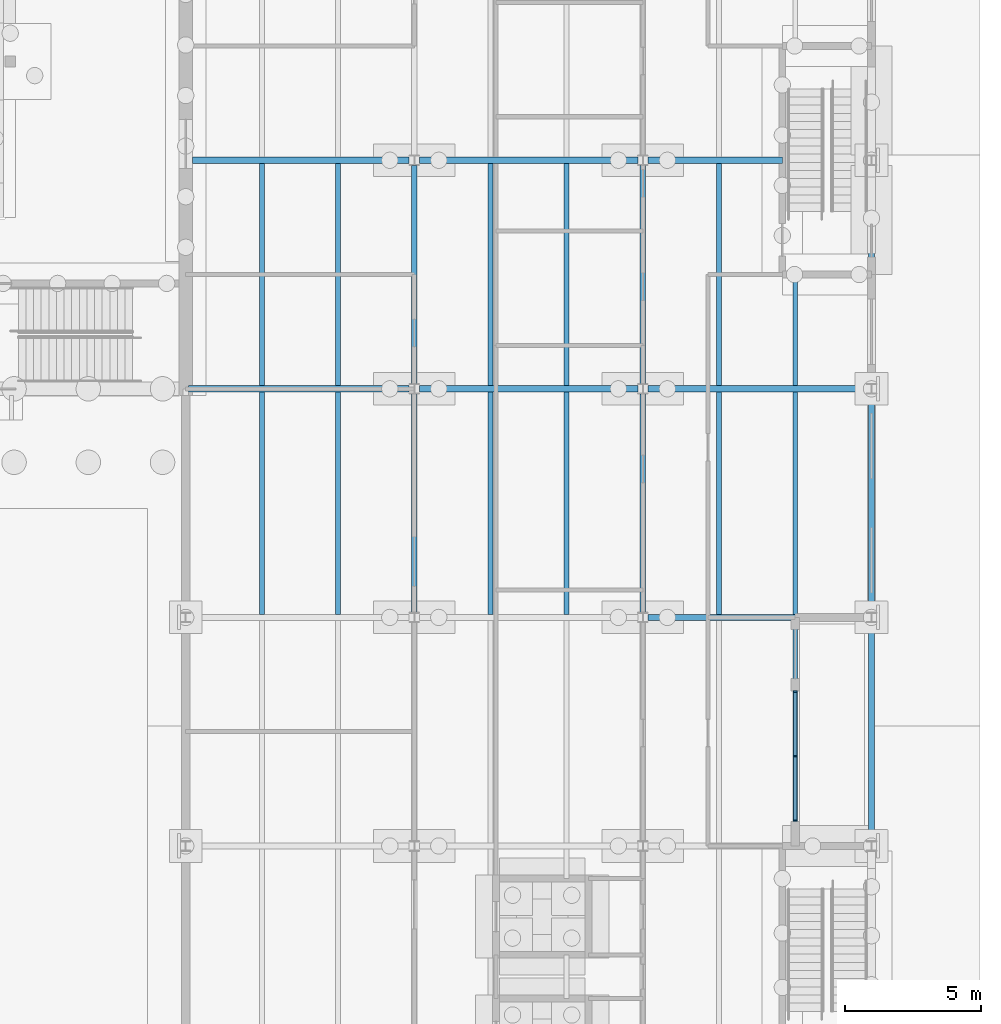
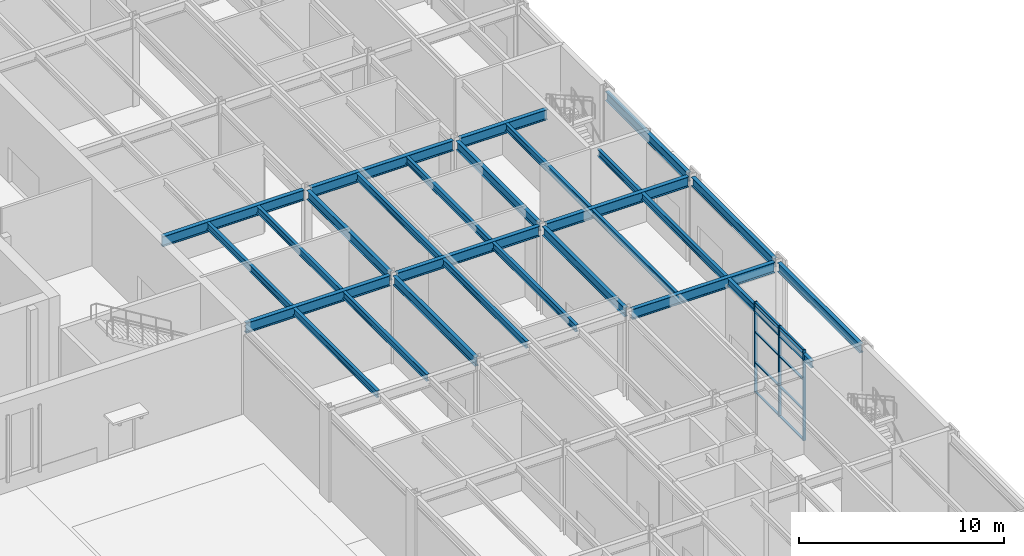
# One storey, part 34 of 127: 27 beams, 11 members, 1 element without a shape of its own.
"""IFC4 building model written with IfcOpenShell, lengths in metres."""

from ifc_helpers import new_model, si_unit, direction, frame, origin, origin_2d, place, context, subcontext, project, spatial, rectangle, i_section, extrude, material, material_profile, profile_set, type_object, element, aggregate, save


model = new_model("IFC4")

# Units and contexts
model_context = context("Model", 3, precision=1e-05, world=origin(), true_north=direction((0.0, 1.0)))
body_context = subcontext(model_context, "Body", "Model", "MODEL_VIEW")
ifc_project = project(units=[si_unit("LENGTHUNIT", "METRE"), si_unit("AREAUNIT", "SQUARE_METRE"), si_unit("VOLUMEUNIT", "CUBIC_METRE"), si_unit("PLANEANGLEUNIT", "RADIAN"), si_unit("MASSUNIT", "GRAM", prefix="KILO")], contexts=[model_context])

# Site, building, storey
site_placement = place(None, origin())
site = spatial("IfcSite", under=ifc_project, at=site_placement, CompositionType="ELEMENT")
building_placement = place(site_placement, origin())
building = spatial("IfcBuilding", under=site, at=building_placement, Name="Ljudholm Concert House", CompositionType="ELEMENT")
storey_placement = place(building_placement, origin())
storey = spatial("IfcBuildingStorey", under=building, at=storey_placement, Name="L00", CompositionType="ELEMENT", Elevation=0.0)

# Curtain wall, members
ifc_material_1 = material(Name="Aluminium curtain wall with impact-rated laminated glass", Category="aluminium")
curtain_wall_type = type_object("IfcCurtainWallType", Name="CURTAIN WALL 2400", PredefinedType="NOTDEFINED", material=ifc_material_1)
curtain_wall_placement = place(storey_placement, origin())
curtain_wall = element("IfcCurtainWall", 1, at=curtain_wall_placement, inside=storey, type_object=curtain_wall_type, Name="Curtain wall", PredefinedType="NOTDEFINED")
ifc_material_2 = material(Name="Aluminium extrusion", Category="aluminium")
ifc_material_profile_1 = material_profile(ifc_material_2, rectangle(XDim=0.159912109375, YDim=0.06005859375, at=origin_2d()), Name="MULLION 60x160")
ifc_profile_set_1 = profile_set([ifc_material_profile_1], Name="Aluminium extrusion")
member_type_1 = type_object("IfcMemberType", Name="MULLION 60x160", PredefinedType="MULLION", material=ifc_profile_set_1)
member_1_placement = place(storey_placement, frame((118.800048828125, 38.530029296875, 0.0), z_axis=(0.0, 0.0, 1.0), x_axis=(-1.0, 0.0, 0.0)))
member_1 = element("IfcMember", 2, at=member_1_placement, type_object=member_type_1, Name="Mullion", PredefinedType="MULLION", context=body_context, shape_type="SweptSolid", body=[
    extrude(rectangle(XDim=0.159912109375, YDim=0.06005859375, at=origin_2d()), origin(), (0.0, 0.0, 1.0), 5.39990234375),
])
member_2_placement = place(storey_placement, frame((118.800048828125, 40.89990234375, 0.0), z_axis=(0.0, 0.0, 1.0), x_axis=(-1.0, 0.0, 0.0)))
member_2 = element("IfcMember", 3, at=member_2_placement, type_object=member_type_1, Name="Mullion", PredefinedType="MULLION", context=body_context, shape_type="SweptSolid", body=[
    extrude(rectangle(XDim=0.159912109375, YDim=0.06005859375, at=origin_2d()), origin(), (0.0, 0.0, 1.0), 5.39990234375),
])
member_3_placement = place(storey_placement, frame((118.800048828125, 43.27001953125, 0.0), z_axis=(0.0, 0.0, 1.0), x_axis=(-1.0, 0.0, 0.0)))
member_3 = element("IfcMember", 4, at=member_3_placement, type_object=member_type_1, Name="Mullion", PredefinedType="MULLION", context=body_context, shape_type="SweptSolid", body=[
    extrude(rectangle(XDim=0.159912109375, YDim=0.06005859375, at=origin_2d()), origin(), (0.0, 0.0, 1.0), 5.39990234375),
])

# Beams
ifc_material_3 = material(Name="Steel ASTM A992", Category="steel")
ifc_material_profile_2 = material_profile(ifc_material_3, i_section(OverallWidth=0.177734375, OverallDepth=0.406494140625, WebThickness=0.0078125, FlangeThickness=0.012939453125, FilletRadius=0.01025390625, at=origin_2d()), Name="W16X40")
ifc_profile_set_2 = profile_set([ifc_material_profile_2], Name="Steel ASTM A992")
beam_type_1 = type_object("IfcBeamType", Name="STEEL BEAM W16X40", PredefinedType="BEAM", material=ifc_profile_set_2)
for number, where, z_axis, x_axis, name in (
    (5, (99.199951171875, 46.114501953125, 5.016845703125), (0.0, 1.0, 0.0), (-1.0, 0.0, 0.0), "Beam BOH-L01-sb-99.2-46"),
    (6, (102.0, 46.114501953125, 5.016845703125), (0.0, 1.0, 0.0), (-1.0, 0.0, 0.0), "Beam BOH-L01-sb-102-46"),
    (7, (99.199951171875, 54.5146484375, 5.016845703125), (0.0, 1.0, 0.0), (-1.0, 0.0, 0.0), "Beam BOH-L01-sb-99.2-54.4"),
    (8, (102.0, 54.5146484375, 5.016845703125), (0.0, 1.0, 0.0), (-1.0, 0.0, 0.0), "Beam BOH-L01-sb-102-54.4"),
    (9, (107.60009765625, 46.114501953125, 5.016845703125), (0.0, 1.0, 0.0), (-1.0, 0.0, 0.0), "Beam BOH-L01-sb-107.6-46"),
    (10, (110.39990234375, 46.114501953125, 5.016845703125), (0.0, 1.0, 0.0), (-1.0, 0.0, 0.0), "Beam BOH-L01-sb-110.4-46"),
    (11, (107.60009765625, 54.5146484375, 5.016845703125), (0.0, 1.0, 0.0), (-1.0, 0.0, 0.0), "Beam BOH-L01-sb-107.6-54.4"),
    (12, (110.39990234375, 54.5146484375, 5.016845703125), (0.0, 1.0, 0.0), (-1.0, 0.0, 0.0), "Beam BOH-L01-sb-110.4-54.4"),
    (13, (118.800048828125, 37.714599609375, 5.016845703125), (0.0, 1.0, 0.0), (-1.0, 0.0, 0.0), "Beam BOH-L01-sb-118.8-37.6"),
    (14, (116.0, 46.114501953125, 5.016845703125), (0.0, 1.0, 0.0), (-1.0, 0.0, 0.0), "Beam BOH-L01-sb-116-46"),
    (15, (118.800048828125, 46.114501953125, 5.016845703125), (0.0, 1.0, 0.0), (-1.0, 0.0, 0.0), "Beam BOH-L01-sb-118.8-46"),
    (16, (116.0, 54.5146484375, 5.016845703125), (0.0, 1.0, 0.0), (-1.0, 0.0, 0.0), "Beam BOH-L01-sb-116-54.4"),
):
    element("IfcBeam", number, at=place(storey_placement, frame(where, z_axis=z_axis, x_axis=x_axis)), inside=storey, type_object=beam_type_1, Name=name, PredefinedType="BEAM", context=body_context, shape_type="SweptSolid", body=[
        extrude(i_section(OverallWidth=0.177734375, OverallDepth=0.406494140625, WebThickness=0.0078125, FlangeThickness=0.012939453125, FilletRadius=0.01025390625, at=origin_2d()), origin(), (0.0, 0.0, 1.0), 8.1708984375),
    ])
beam_1_placement = place(storey_placement, frame((118.800048828125, 54.5146484375, 5.016845703125), z_axis=(0.0, 1.0, 0.0), x_axis=(-1.0, 0.0, 0.0)))
element("IfcBeam", 17, at=beam_1_placement, inside=storey, type_object=beam_type_1, Name="Beam BOH-L01-sb-118.8-54.4-1", PredefinedType="BEAM", context=body_context, shape_type="SweptSolid", body=[
    extrude(i_section(OverallWidth=0.177734375, OverallDepth=0.406494140625, WebThickness=0.0078125, FlangeThickness=0.012939453125, FilletRadius=0.01025390625, at=origin_2d()), origin(), (0.0, 0.0, 1.0), 4.08544921875),
])
ifc_material_4 = material(Name="Steel ASTM A992", Category="steel")
ifc_material_profile_3 = material_profile(ifc_material_4, i_section(OverallWidth=0.209228515625, OverallDepth=0.533447265625, WebThickness=0.01025390625, FlangeThickness=0.015625, FilletRadius=0.012939453125, at=origin_2d()), Name="W21X62")
ifc_profile_set_3 = profile_set([ifc_material_profile_3], Name="Steel ASTM A992")
beam_type_2 = type_object("IfcBeamType", Name="STEEL BEAM W21X62", PredefinedType="BEAM", material=ifc_profile_set_3)
for number, where, z_axis, x_axis, name in (
    (18, (104.800048828125, 46.186767578125, 4.953369140625), (0.0, 1.0, 0.0), (-1.0, 0.0, 0.0), "Beam BOH-L01-gy-104.8-46"),
    (19, (104.800048828125, 54.586669921875, 4.953369140625), (0.0, 1.0, 0.0), (-1.0, 0.0, 0.0), "Beam BOH-L01-gy-104.8-54.4"),
    (20, (113.199951171875, 46.186767578125, 4.953369140625), (0.0, 1.0, 0.0), (-1.0, 0.0, 0.0), "Beam BOH-L01-gy-113.2-46"),
    (21, (113.199951171875, 54.586669921875, 4.953369140625), (0.0, 1.0, 0.0), (-1.0, 0.0, 0.0), "Beam BOH-L01-gy-113.2-54.4"),
    (22, (121.60009765625, 37.78662109375, 4.953369140625), (0.0, 1.0, 0.0), (-1.0, 0.0, 0.0), "Beam BOH-L01-gy-121.6-37.6"),
    (23, (121.60009765625, 46.186767578125, 4.953369140625), (0.0, 1.0, 0.0), (-1.0, 0.0, 0.0), "Beam BOH-L01-gy-121.6-46"),
    (24, (121.60009765625, 54.586669921875, 4.953369140625), (0.0, 1.0, 0.0), (-1.0, 0.0, 0.0), "Beam BOH-L01-gy-121.6-54.4"),
):
    element("IfcBeam", number, at=place(storey_placement, frame(where, z_axis=z_axis, x_axis=x_axis)), inside=storey, type_object=beam_type_2, Name=name, PredefinedType="BEAM", context=body_context, shape_type="SweptSolid", body=[
        extrude(i_section(OverallWidth=0.209228515625, OverallDepth=0.533447265625, WebThickness=0.01025390625, FlangeThickness=0.015625, FilletRadius=0.012939453125, at=origin_2d()), origin(), (0.0, 0.0, 1.0), 8.026611328125),
    ])
ifc_material_5 = material(Name="Steel ASTM A992", Category="steel")
ifc_material_profile_4 = material_profile(ifc_material_5, i_section(OverallWidth=0.22900390625, OverallDepth=0.612060546875, WebThickness=0.011962890625, FlangeThickness=0.01953125, FilletRadius=0.0126953125, at=origin_2d()), Name="W24X84")
ifc_profile_set_4 = profile_set([ifc_material_profile_4], Name="Steel ASTM A992")
beam_type_3 = type_object("IfcBeamType", Name="STEEL BEAM W24X84", PredefinedType="BEAM", material=ifc_profile_set_4)
beam_2_placement = place(storey_placement, frame((113.38671875, 46.0, 4.913818359375), z_axis=(1.0, 0.0, 0.0), x_axis=(0.0, 1.0, 0.0)))
element("IfcBeam", 25, at=beam_2_placement, inside=storey, type_object=beam_type_3, Name="Beam BOH-L01-gx-113.2-46", PredefinedType="BEAM", context=body_context, shape_type="SweptSolid", body=[
    extrude(i_section(OverallWidth=0.22900390625, OverallDepth=0.612060546875, WebThickness=0.011962890625, FlangeThickness=0.01953125, FilletRadius=0.0126953125, at=origin_2d()), origin(), (0.0, 0.0, 1.0), 8.026611328125),
])
beam_3_placement = place(storey_placement, frame((96.504638671875, 54.39990234375, 4.913818359375), z_axis=(1.0, 0.0, 0.0), x_axis=(0.0, 1.0, 0.0)))
element("IfcBeam", 26, at=beam_3_placement, inside=storey, type_object=beam_type_3, Name="Beam BOH-L01-gx-96.4-54.4", PredefinedType="BEAM", context=body_context, shape_type="SweptSolid", body=[
    extrude(i_section(OverallWidth=0.22900390625, OverallDepth=0.612060546875, WebThickness=0.011962890625, FlangeThickness=0.01953125, FilletRadius=0.0126953125, at=origin_2d()), origin(), (0.0, 0.0, 1.0), 8.108642578125),
])
beam_4_placement = place(storey_placement, frame((104.986572265625, 54.39990234375, 4.913818359375), z_axis=(1.0, 0.0, 0.0), x_axis=(0.0, 1.0, 0.0)))
element("IfcBeam", 27, at=beam_4_placement, inside=storey, type_object=beam_type_3, Name="Beam BOH-L01-gx-104.8-54.4", PredefinedType="BEAM", context=body_context, shape_type="SweptSolid", body=[
    extrude(i_section(OverallWidth=0.22900390625, OverallDepth=0.612060546875, WebThickness=0.011962890625, FlangeThickness=0.01953125, FilletRadius=0.0126953125, at=origin_2d()), origin(), (0.0, 0.0, 1.0), 8.02685546875),
])
beam_5_placement = place(storey_placement, frame((113.38671875, 54.39990234375, 4.913818359375), z_axis=(1.0, 0.0, 0.0), x_axis=(0.0, 1.0, 0.0)))
element("IfcBeam", 28, at=beam_5_placement, inside=storey, type_object=beam_type_3, Name="Beam BOH-L01-gx-113.2-54.4", PredefinedType="BEAM", context=body_context, shape_type="SweptSolid", body=[
    extrude(i_section(OverallWidth=0.22900390625, OverallDepth=0.612060546875, WebThickness=0.011962890625, FlangeThickness=0.01953125, FilletRadius=0.0126953125, at=origin_2d()), origin(), (0.0, 0.0, 1.0), 8.026611328125),
])
beam_6_placement = place(storey_placement, frame((96.64990234375, 62.800048828125, 4.913818359375), z_axis=(1.0, 0.0, 0.0), x_axis=(0.0, 1.0, 0.0)))
element("IfcBeam", 29, at=beam_6_placement, inside=storey, type_object=beam_type_3, Name="Beam BOH-L01-gx-96.4-62.8", PredefinedType="BEAM", context=body_context, shape_type="SweptSolid", body=[
    extrude(i_section(OverallWidth=0.22900390625, OverallDepth=0.612060546875, WebThickness=0.011962890625, FlangeThickness=0.01953125, FilletRadius=0.0126953125, at=origin_2d()), origin(), (0.0, 0.0, 1.0), 7.96337890625),
])
beam_7_placement = place(storey_placement, frame((104.986572265625, 62.800048828125, 4.913818359375), z_axis=(1.0, 0.0, 0.0), x_axis=(0.0, 1.0, 0.0)))
element("IfcBeam", 30, at=beam_7_placement, inside=storey, type_object=beam_type_3, Name="Beam BOH-L01-gx-104.8-62.8", PredefinedType="BEAM", context=body_context, shape_type="SweptSolid", body=[
    extrude(i_section(OverallWidth=0.22900390625, OverallDepth=0.612060546875, WebThickness=0.011962890625, FlangeThickness=0.01953125, FilletRadius=0.0126953125, at=origin_2d()), origin(), (0.0, 0.0, 1.0), 8.02685546875),
])
beam_8_placement = place(storey_placement, frame((113.38671875, 62.800048828125, 4.913818359375), z_axis=(1.0, 0.0, 0.0), x_axis=(0.0, 1.0, 0.0)))
element("IfcBeam", 31, at=beam_8_placement, inside=storey, type_object=beam_type_3, Name="Beam BOH-L01-gx-113.2-62.8-1", PredefinedType="BEAM", context=body_context, shape_type="SweptSolid", body=[
    extrude(i_section(OverallWidth=0.22900390625, OverallDepth=0.612060546875, WebThickness=0.011962890625, FlangeThickness=0.01953125, FilletRadius=0.0126953125, at=origin_2d()), origin(), (0.0, 0.0, 1.0), 4.938232421875),
])

# Member
ifc_material_6 = material(Name="Aluminium extrusion", Category="aluminium")
ifc_material_profile_5 = material_profile(ifc_material_6, rectangle(XDim=0.1201171875, YDim=0.06005859375, at=origin_2d()), Name="TRANSOM 60x120")
ifc_profile_set_5 = profile_set([ifc_material_profile_5], Name="Aluminium extrusion")
member_type_2 = type_object("IfcMemberType", Name="TRANSOM 60x120", PredefinedType="USERDEFINED", material=ifc_profile_set_5)
member_4_placement = place(storey_placement, frame((118.800048828125, 38.56005859375, 0.030029296875), z_axis=(0.0, 1.0, 0.0), x_axis=(-1.0, 0.0, 0.0)))
member_4 = element("IfcMember", 32, at=member_4_placement, type_object=member_type_2, Name="Transom", ObjectType="TRANSOM", PredefinedType="USERDEFINED", context=body_context, shape_type="SweptSolid", body=[
    extrude(rectangle(XDim=0.1201171875, YDim=0.06005859375, at=origin_2d()), origin(), (0.0, 0.0, 1.0), 2.31005859375),
])

member_5_placement = place(storey_placement, frame((118.800048828125, 38.56005859375, 1.800048828125), z_axis=(0.0, 1.0, 0.0), x_axis=(-1.0, 0.0, 0.0)))
member_5 = element("IfcMember", 33, at=member_5_placement, type_object=member_type_2, Name="Transom", ObjectType="TRANSOM", PredefinedType="USERDEFINED", context=body_context, shape_type="SweptSolid", body=[
    extrude(rectangle(XDim=0.1201171875, YDim=0.06005859375, at=origin_2d()), origin(), (0.0, 0.0, 1.0), 2.31005859375),
])

member_6_placement = place(storey_placement, frame((118.800048828125, 38.56005859375, 3.60009765625), z_axis=(0.0, 1.0, 0.0), x_axis=(-1.0, 0.0, 0.0)))
member_6 = element("IfcMember", 34, at=member_6_placement, type_object=member_type_2, Name="Transom", ObjectType="TRANSOM", PredefinedType="USERDEFINED", context=body_context, shape_type="SweptSolid", body=[
    extrude(rectangle(XDim=0.1201171875, YDim=0.06005859375, at=origin_2d()), origin(), (0.0, 0.0, 1.0), 2.31005859375),
])

member_7_placement = place(storey_placement, frame((118.800048828125, 38.56005859375, 5.3701171875), z_axis=(0.0, 1.0, 0.0), x_axis=(-1.0, 0.0, 0.0)))
member_7 = element("IfcMember", 35, at=member_7_placement, type_object=member_type_2, Name="Transom", ObjectType="TRANSOM", PredefinedType="USERDEFINED", context=body_context, shape_type="SweptSolid", body=[
    extrude(rectangle(XDim=0.1201171875, YDim=0.06005859375, at=origin_2d()), origin(), (0.0, 0.0, 1.0), 2.31005859375),
])

member_8_placement = place(storey_placement, frame((118.800048828125, 40.929931640625, 0.030029296875), z_axis=(0.0, 1.0, 0.0), x_axis=(-1.0, 0.0, 0.0)))
member_8 = element("IfcMember", 36, at=member_8_placement, type_object=member_type_2, Name="Transom", ObjectType="TRANSOM", PredefinedType="USERDEFINED", context=body_context, shape_type="SweptSolid", body=[
    extrude(rectangle(XDim=0.1201171875, YDim=0.06005859375, at=origin_2d()), origin(), (0.0, 0.0, 1.0), 2.31005859375),
])

member_9_placement = place(storey_placement, frame((118.800048828125, 40.929931640625, 1.800048828125), z_axis=(0.0, 1.0, 0.0), x_axis=(-1.0, 0.0, 0.0)))
member_9 = element("IfcMember", 37, at=member_9_placement, type_object=member_type_2, Name="Transom", ObjectType="TRANSOM", PredefinedType="USERDEFINED", context=body_context, shape_type="SweptSolid", body=[
    extrude(rectangle(XDim=0.1201171875, YDim=0.06005859375, at=origin_2d()), origin(), (0.0, 0.0, 1.0), 2.31005859375),
])

member_10_placement = place(storey_placement, frame((118.800048828125, 40.929931640625, 3.60009765625), z_axis=(0.0, 1.0, 0.0), x_axis=(-1.0, 0.0, 0.0)))
member_10 = element("IfcMember", 38, at=member_10_placement, type_object=member_type_2, Name="Transom", ObjectType="TRANSOM", PredefinedType="USERDEFINED", context=body_context, shape_type="SweptSolid", body=[
    extrude(rectangle(XDim=0.1201171875, YDim=0.06005859375, at=origin_2d()), origin(), (0.0, 0.0, 1.0), 2.31005859375),
])

member_11_placement = place(storey_placement, frame((118.800048828125, 40.929931640625, 5.3701171875), z_axis=(0.0, 1.0, 0.0), x_axis=(-1.0, 0.0, 0.0)))
member_11 = element("IfcMember", 39, at=member_11_placement, type_object=member_type_2, Name="Transom", ObjectType="TRANSOM", PredefinedType="USERDEFINED", context=body_context, shape_type="SweptSolid", body=[
    extrude(rectangle(XDim=0.1201171875, YDim=0.06005859375, at=origin_2d()), origin(), (0.0, 0.0, 1.0), 2.31005859375),
])

aggregate(curtain_wall, [member_1, member_2, member_3, member_4, member_5, member_6, member_7, member_8, member_9, member_10, member_11])

save(model, "model.ifc")
